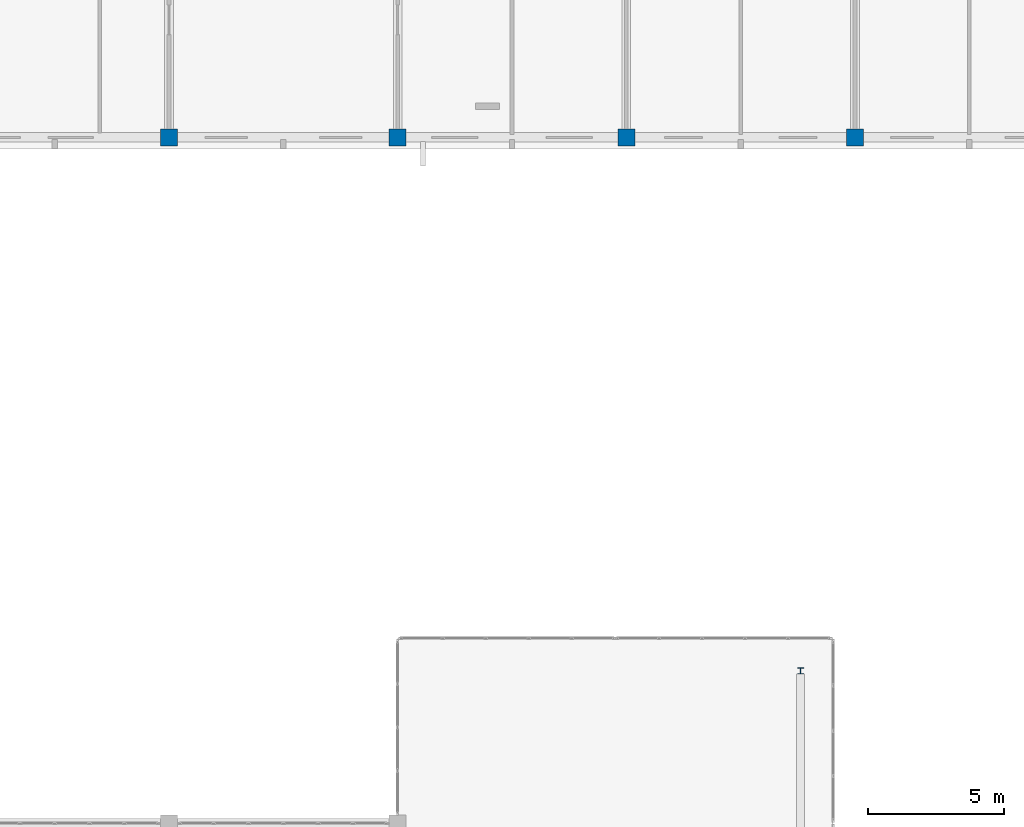
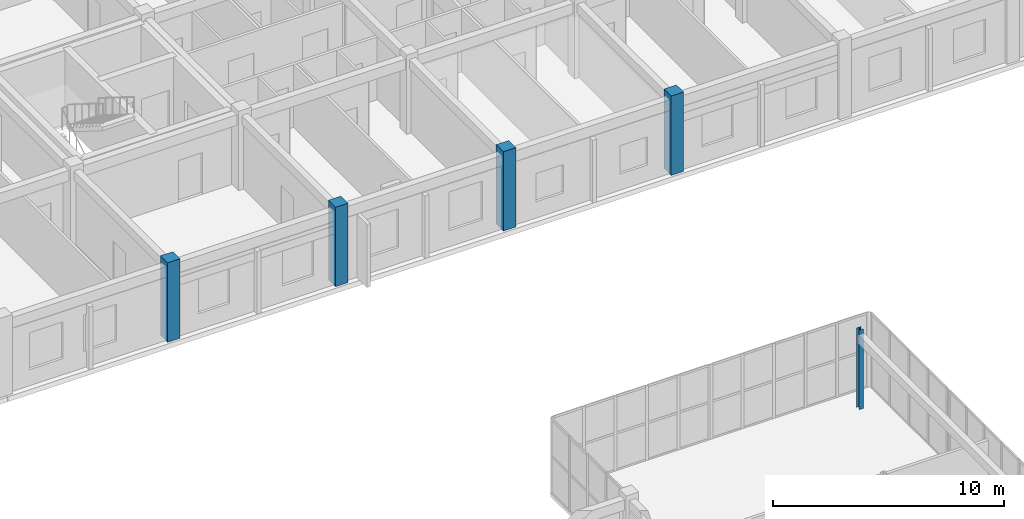
# One storey, part 8 of 81: 5 columns.
"""IFC4 building model written with IfcOpenShell, lengths in metres."""

from ifc_helpers import new_model, si_unit, direction, frame, origin, origin_2d, place, context, subcontext, project, spatial, rectangle, i_section, extrude, material, material_profile, profile_set, type_object, element, save


model = new_model("IFC4")

# Units and contexts
model_context = context("Model", 3, precision=1e-05, world=origin(), true_north=direction((0.0, 1.0)))
body_context = subcontext(model_context, "Body", "Model", "MODEL_VIEW")
ifc_project = project(units=[si_unit("LENGTHUNIT", "METRE"), si_unit("AREAUNIT", "SQUARE_METRE"), si_unit("VOLUMEUNIT", "CUBIC_METRE"), si_unit("PLANEANGLEUNIT", "RADIAN"), si_unit("MASSUNIT", "GRAM", prefix="KILO")], contexts=[model_context])

# Site, building, storey
site_placement = place(None, origin())
site = spatial("IfcSite", under=ifc_project, at=site_placement, CompositionType="ELEMENT")
building_placement = place(site_placement, origin())
building = spatial("IfcBuilding", under=site, at=building_placement, Name="Trelvath General Hospital", CompositionType="ELEMENT")
storey_placement = place(building_placement, frame((0.0, 0.0, 24.60009765625)))
storey = spatial("IfcBuildingStorey", under=building, at=storey_placement, Name="L06", CompositionType="ELEMENT", Elevation=24.60009765625)

# Columns
ifc_material_1 = material(Name="Concrete C40/50", Category="concrete")
ifc_material_profile_1 = material_profile(ifc_material_1, rectangle(XDim=0.6201171875, YDim=0.6201171875, at=origin_2d()), Name="RC620x620")
ifc_profile_set_1 = profile_set([ifc_material_profile_1], Name="Concrete C40/50")
column_type_1 = type_object("IfcColumnType", Name="Column RC620", PredefinedType="COLUMN", material=ifc_profile_set_1)
for number, where, z_axis, x_axis, name in (
    (1, (84.0, 92.39990234375, 0.0), (0.0, 0.0, 1.0), (1.0, 0.0, 0.0), "Column C-11L L06"),
    (2, (92.39990234375, 92.39990234375, 0.0), (0.0, 0.0, 1.0), (1.0, 0.0, 0.0), "Column C-12L L06"),
    (3, (100.800048828125, 92.39990234375, 0.0), (0.0, 0.0, 1.0), (1.0, 0.0, 0.0), "Column C-13L L06"),
    (4, (109.199951171875, 92.39990234375, 0.0), (0.0, 0.0, 1.0), (1.0, 0.0, 0.0), "Column C-14L L06"),
):
    element("IfcColumn", number, at=place(storey_placement, frame(where, z_axis=z_axis, x_axis=x_axis)), inside=storey, type_object=column_type_1, Name=name, PredefinedType="COLUMN", context=body_context, shape_type="SweptSolid", body=[
        extrude(rectangle(XDim=0.6201171875, YDim=0.6201171875, at=origin_2d()), origin(), (0.0, 0.0, 1.0), 4.199951171875),
    ])
ifc_material_2 = material(Name="Steel S355", Category="steel")
ifc_material_profile_2 = material_profile(ifc_material_2, i_section(OverallWidth=0.219970703125, OverallDepth=0.219970703125, WebThickness=0.009521484375, FlangeThickness=0.01611328125, at=origin_2d()), Name="HEB220")
ifc_profile_set_2 = profile_set([ifc_material_profile_2], Name="Steel S355")
column_type_2 = type_object("IfcColumnType", Name="CubePost HEB220", PredefinedType="COLUMN", material=ifc_profile_set_2)
column_placement = place(storey_placement, frame((107.199951171875, 72.800048828125, 0.0), z_axis=(0.0, 0.0, 1.0), x_axis=(1.0, 0.0, 0.0)))
element("IfcColumn", 5, at=column_placement, inside=storey, type_object=column_type_2, Name="Cube Interior Column CC-E03 L06", PredefinedType="COLUMN", context=body_context, shape_type="SweptSolid", body=[
    extrude(i_section(OverallWidth=0.219970703125, OverallDepth=0.219970703125, WebThickness=0.009521484375, FlangeThickness=0.01611328125, at=origin_2d()), origin(), (0.0, 0.0, 1.0), 4.199951171875),
])

save(model, "model.ifc")
